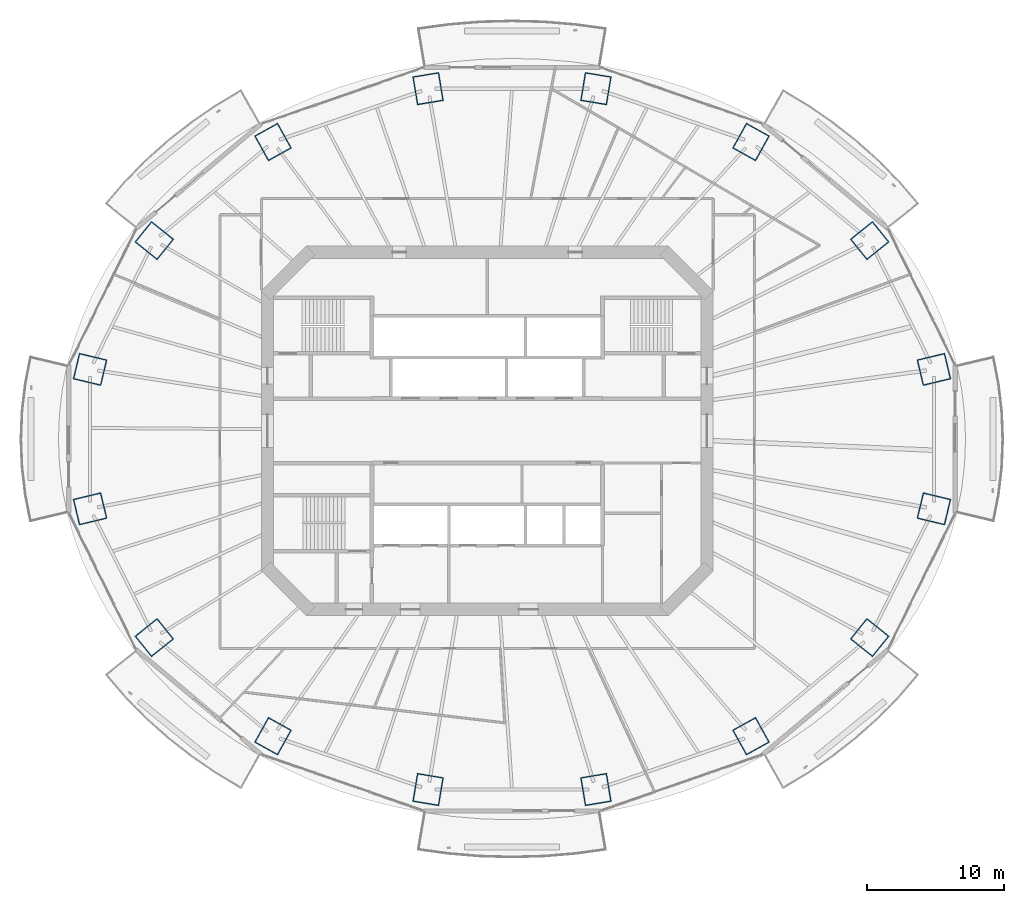
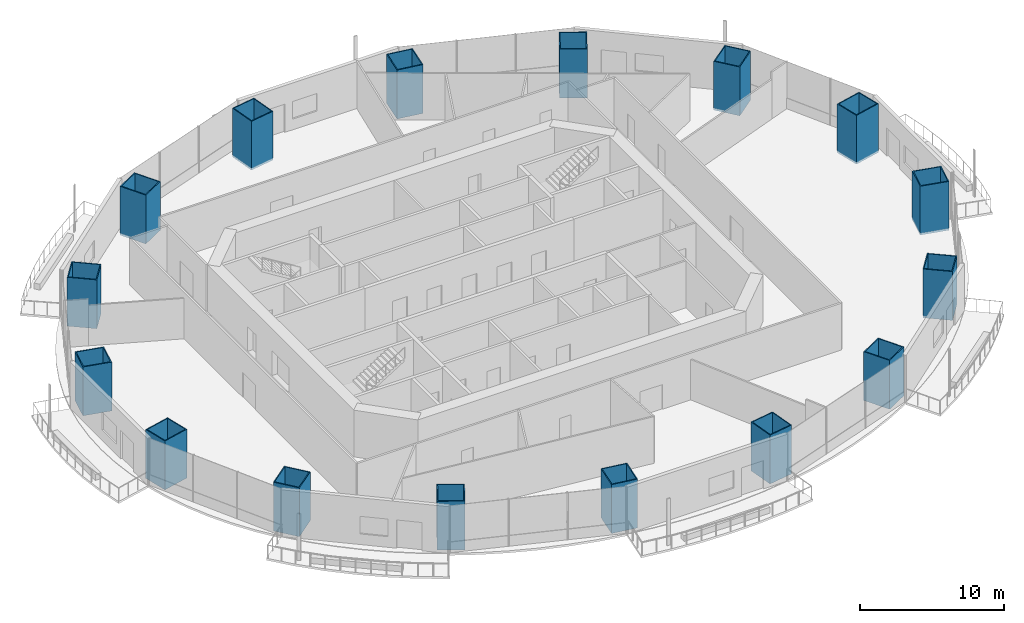
# One storey, part 1 of 21: 16 columns.
"""IFC4 building model written with IfcOpenShell, lengths in metres."""

from ifc_helpers import new_model, si_unit, direction, frame, origin, origin_2d, place, context, subcontext, project, spatial, rectangle, hollow_rectangle, extrude, material, material_profile, profile_set, type_object, element, save


model = new_model("IFC4")

# Units and contexts
model_context = context("Model", 3, precision=1e-05, world=origin(), true_north=direction((0.0, 1.0)))
body_context = subcontext(model_context, "Body", "Model", "MODEL_VIEW")
ifc_project = project(units=[si_unit("LENGTHUNIT", "METRE"), si_unit("AREAUNIT", "SQUARE_METRE"), si_unit("VOLUMEUNIT", "CUBIC_METRE"), si_unit("PLANEANGLEUNIT", "RADIAN"), si_unit("MASSUNIT", "GRAM", prefix="KILO")], contexts=[model_context])

# Site, building, storey
site_placement = place(None, origin())
site = spatial("IfcSite", under=ifc_project, at=site_placement, CompositionType="ELEMENT")
building_placement = place(site_placement, origin())
building = spatial("IfcBuilding", under=site, at=building_placement, Name="Marenthal Gate Tower", CompositionType="ELEMENT")
storey_placement = place(building_placement, frame((0.0, 0.0, 165.199951171875)))
storey = spatial("IfcBuildingStorey", under=building, at=storey_placement, Name="L35", CompositionType="ELEMENT", Elevation=165.199951171875)

# Columns
ifc_material_1 = material(Name="Steel S460", Category="steel")
ifc_material_profile_1 = material_profile(ifc_material_1, hollow_rectangle(XDim=1.949951171875, YDim=2.10009765625, WallThickness=0.074951171875, at=origin_2d()), Name="CFT BOX 2100X1950X75")
ifc_material_2 = material(Name="Concrete 70 MPa", Category="concrete")
ifc_material_profile_2 = material_profile(ifc_material_2, rectangle(XDim=1.800048828125, YDim=1.949951171875, at=origin_2d()), Name="CFT BOX 2100X1950X75 INFILL")
ifc_profile_set = profile_set([ifc_material_profile_1, ifc_material_profile_2], Name="Steel S460 shell, Concrete 70 MPa infill")
column_type = type_object("IfcColumnType", Name="CFT BOX 2100X1950X75", PredefinedType="COLUMN", material=ifc_profile_set)
for number, where, z_axis, x_axis, name in (
    (1, (32.51708984375, 4.474609375, -0.179931640625), (0.0, 0.0, 1.0), (0.232909042988, -0.972498523235, 0.0), "COL-L35-01"),
    (2, (27.8408203125, 13.8515625, -0.179931640625), (0.0, 0.0, 1.0), (0.62683093837, -0.779155295626, 0.0), "COL-L35-02"),
    (3, (19.199951171875, 21.0283203125, -0.179931640625), (0.0, 0.0, 1.0), (0.874380139328, -0.485241560409, 0.0), "COL-L35-03"),
    (4, (7.909912109375, 24.912109375, -0.179931640625), (0.0, 0.0, 1.0), (0.986626552786, -0.162997071561, 0.0), "COL-L35-04"),
    (5, (-4.31005859375, 24.912109375, -0.179931640625), (0.0, 0.0, 1.0), (0.986626552786, 0.162997071561, 0.0), "COL-L35-05"),
    (6, (-15.599853515625, 21.0283203125, -0.179931640625), (0.0, 0.0, 1.0), (0.874380139328, 0.485241560409, 0.0), "COL-L35-06"),
    (7, (-24.24072265625, 13.8515625, -0.179931640625), (0.0, 0.0, 1.0), (0.62683093837, 0.779155295626, 0.0), "COL-L35-07"),
    (8, (-28.917236328125, 4.474609375, -0.179931640625), (0.0, 0.0, 1.0), (0.232909042988, 0.972498523235, 0.0), "COL-L35-08"),
    (9, (-28.917236328125, -5.6748046875, -0.179931640625), (0.0, 0.0, 1.0), (-0.232909042988, 0.972498523235, 0.0), "COL-L35-09"),
    (10, (-24.24072265625, -15.051513671875, -0.179931640625), (0.0, 0.0, 1.0), (-0.62683093837, 0.779155295626, 0.0), "COL-L35-10"),
    (11, (-15.599853515625, -22.228271484375, -0.179931640625), (0.0, 0.0, 1.0), (-0.874380139328, 0.485241560409, 0.0), "COL-L35-11"),
    (12, (-4.31005859375, -26.1123046875, -0.179931640625), (0.0, 0.0, 1.0), (-0.986626552786, 0.162997071561, 0.0), "COL-L35-12"),
    (13, (7.909912109375, -26.1123046875, -0.179931640625), (0.0, 0.0, 1.0), (-0.986626552786, -0.162997071561, 0.0), "COL-L35-13"),
    (14, (19.199951171875, -22.228271484375, -0.179931640625), (0.0, 0.0, 1.0), (-0.874380139328, -0.485241560409, 0.0), "COL-L35-14"),
    (15, (27.8408203125, -15.051513671875, -0.179931640625), (0.0, 0.0, 1.0), (-0.62683093837, -0.779155295626, 0.0), "COL-L35-15"),
    (16, (32.51708984375, -5.6748046875, -0.179931640625), (0.0, 0.0, 1.0), (-0.232909042988, -0.972498523235, 0.0), "COL-L35-16"),
):
    element("IfcColumn", number, at=place(storey_placement, frame(where, z_axis=z_axis, x_axis=x_axis)), inside=storey, type_object=column_type, Name=name, PredefinedType="COLUMN", context=body_context, shape_type="SweptSolid", body=[
        extrude(hollow_rectangle(XDim=1.949951171875, YDim=2.10009765625, WallThickness=0.074951171875, at=origin_2d()), origin(), (0.0, 0.0, 1.0), 4.14990234375),
    ])

save(model, "model.ifc")
